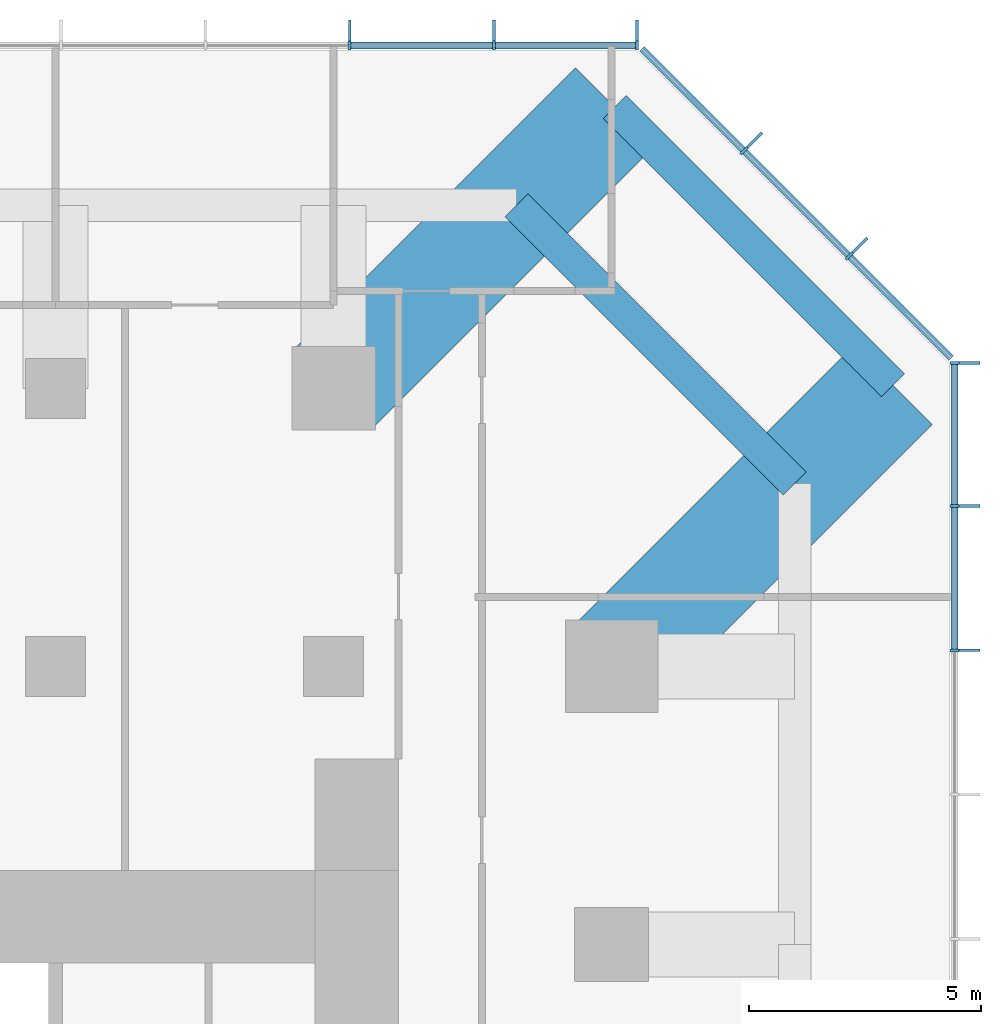
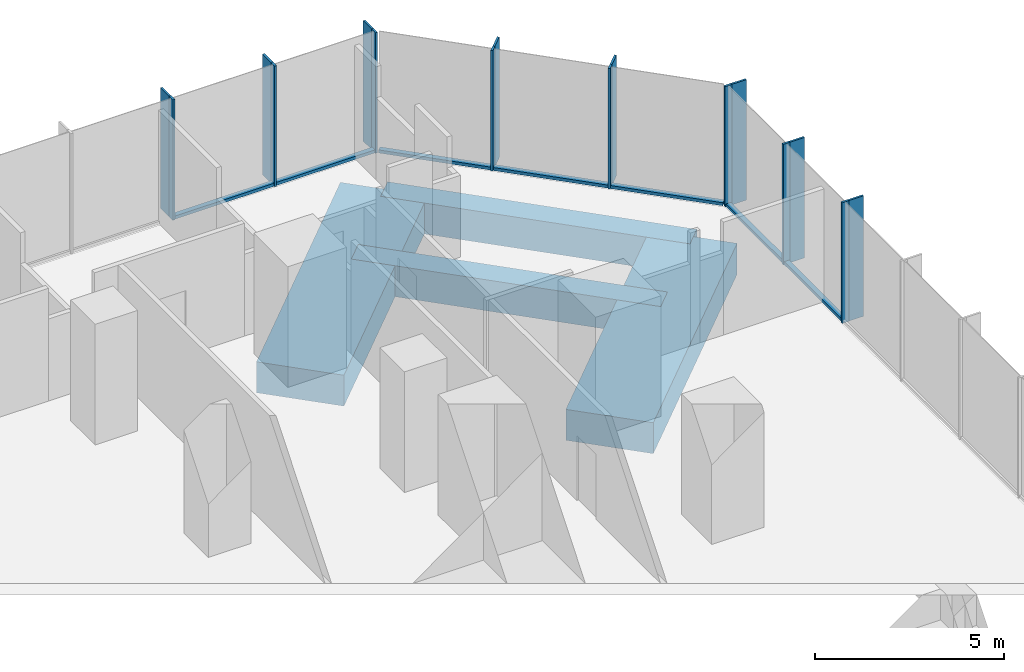
# One storey, part 6 of 11: 23 members, 4 beams, 3 elements without a shape of their own.
"""IFC4 building model written with IfcOpenShell, lengths in metres."""

from ifc_helpers import new_model, si_unit, direction, frame, origin, origin_2d, place, context, subcontext, project, spatial, rectangle, extrude, material, layer, layer_set, material_profile, profile_set, type_object, element, aggregate, save


model = new_model("IFC4")

# Units and contexts
model_context = context("Model", 3, precision=1e-05, world=origin(), true_north=direction((0.0, 1.0)))
body_context = subcontext(model_context, "Body", "Model", "MODEL_VIEW")
ifc_project = project(units=[si_unit("LENGTHUNIT", "METRE"), si_unit("AREAUNIT", "SQUARE_METRE"), si_unit("VOLUMEUNIT", "CUBIC_METRE"), si_unit("PLANEANGLEUNIT", "RADIAN"), si_unit("MASSUNIT", "GRAM", prefix="KILO")], contexts=[model_context])

# Site, building, storey
site_placement = place(None, origin())
site = spatial("IfcSite", under=ifc_project, at=site_placement, CompositionType="ELEMENT")
building_placement = place(site_placement, origin())
building = spatial("IfcBuilding", under=site, at=building_placement, Name="Highveld Stack Headquarters", CompositionType="ELEMENT")
storey_placement = place(building_placement, frame((0.0, 0.0, 177.199951171875)))
storey = spatial("IfcBuildingStorey", under=building, at=storey_placement, Name="L43", CompositionType="ELEMENT", Elevation=177.199951171875)

# Beams
ifc_material_1 = material(Name="Concrete C60/75", Category="concrete")
ifc_material_profile_1 = material_profile(ifc_material_1, rectangle(XDim=2.39990234375, YDim=1.0, at=origin_2d()), Name="RC 2400x1000")
ifc_profile_set_1 = profile_set([ifc_material_profile_1], Name="Concrete C60/75")
beam_type_1 = type_object("IfcBeamType", Name="CANTILEVER RIB RC 2400x1000", PredefinedType="USERDEFINED", material=ifc_profile_set_1)
for number, where, z_axis, x_axis, name in (
    (1, (18.0, 24.0, -0.75), (0.707106781187, 0.707106781187, 0.0), (-0.707106781187, 0.707106781187, 0.0), "Cantilever rib 9/J L43"),
    (2, (24.0, 18.0, -0.75), (0.707106781187, 0.707106781187, 0.0), (-0.707106781187, 0.707106781187, 0.0), "Cantilever rib 10/H L43"),
):
    element("IfcBeam", number, at=place(storey_placement, frame(where, z_axis=z_axis, x_axis=x_axis)), inside=storey, type_object=beam_type_1, Name=name, ObjectType="CANTILEVER RIB", PredefinedType="USERDEFINED", context=body_context, shape_type="SweptSolid", body=[
        extrude(rectangle(XDim=2.39990234375, YDim=1.0, at=origin_2d()), origin(), (0.0, 0.0, 1.0), 8.585693359375),
    ])

# Curtain wall, members
ifc_material_2 = material(Name="Aluminium bronze anodised", Category="aluminium")
ifc_layer_1 = layer(ifc_material_2, 0.199951171875)
ifc_layer_set_1 = layer_set([ifc_layer_1], Name="Aluminium bronze anodised")
curtain_wall_type_1 = type_object("IfcCurtainWallType", Name="CW1 TOWER UNITISED CURTAIN WALL", PredefinedType="NOTDEFINED", material=ifc_layer_set_1)
curtain_wall_1_placement = place(storey_placement, origin())
curtain_wall_1 = element("IfcCurtainWall", 3, at=curtain_wall_1_placement, inside=storey, type_object=curtain_wall_type_1, Name="Curtain wall CW1 L43 E", PredefinedType="NOTDEFINED")
ifc_material_3 = material(Name="Aluminium bronze anodised", Category="aluminium")
ifc_material_profile_2 = material_profile(ifc_material_3, rectangle(XDim=0.449951171875, YDim=0.06005859375, at=origin_2d()), Name="FIN 450x60")
ifc_profile_set_2 = profile_set([ifc_material_profile_2], Name="Aluminium bronze anodised")
member_type_1 = type_object("IfcMemberType", Name="CW1 BRONZE FIN 450x60", PredefinedType="USERDEFINED", material=ifc_profile_set_2)
member_1_placement = place(storey_placement, frame((31.72509765625, 18.347900390625, 0.0), z_axis=(0.0, 0.0, 1.0), x_axis=(-1.0, 0.0, 0.0)))
member_1 = element("IfcMember", 4, at=member_1_placement, type_object=member_type_1, Name="CW1 fin L43 9", ObjectType="FIN", PredefinedType="USERDEFINED", context=body_context, shape_type="SweptSolid", body=[
    extrude(rectangle(XDim=0.449951171875, YDim=0.06005859375, at=origin_2d()), origin(), (0.0, 0.0, 1.0), 3.900146484375),
])
member_2_placement = place(storey_placement, frame((31.72509765625, 21.4638671875, 0.0), z_axis=(0.0, 0.0, 1.0), x_axis=(-1.0, 0.0, 0.0)))
member_2 = element("IfcMember", 5, at=member_2_placement, type_object=member_type_1, Name="CW1 fin L43 10", ObjectType="FIN", PredefinedType="USERDEFINED", context=body_context, shape_type="SweptSolid", body=[
    extrude(rectangle(XDim=0.449951171875, YDim=0.06005859375, at=origin_2d()), origin(), (0.0, 0.0, 1.0), 3.900146484375),
])
member_3_placement = place(storey_placement, frame((31.72509765625, 24.54736328125, 0.0), z_axis=(0.0, 0.0, 1.0), x_axis=(-1.0, 0.0, 0.0)))
member_3 = element("IfcMember", 6, at=member_3_placement, type_object=member_type_1, Name="CW1 fin L43 11", ObjectType="FIN", PredefinedType="USERDEFINED", context=body_context, shape_type="SweptSolid", body=[
    extrude(rectangle(XDim=0.449951171875, YDim=0.06005859375, at=origin_2d()), origin(), (0.0, 0.0, 1.0), 3.900146484375),
])

curtain_wall_2_placement = place(storey_placement, origin())
curtain_wall_2 = element("IfcCurtainWall", 7, at=curtain_wall_2_placement, inside=storey, type_object=curtain_wall_type_1, Name="Curtain wall CW1 L43 N", PredefinedType="NOTDEFINED")
member_4_placement = place(storey_placement, frame((24.54736328125, 31.72509765625, 0.0), z_axis=(0.0, 0.0, 1.0), x_axis=(0.0, -1.0, 0.0)))
member_4 = element("IfcMember", 8, at=member_4_placement, type_object=member_type_1, Name="CW1 fin L43 1", ObjectType="FIN", PredefinedType="USERDEFINED", context=body_context, shape_type="SweptSolid", body=[
    extrude(rectangle(XDim=0.449951171875, YDim=0.06005859375, at=origin_2d()), origin(), (0.0, 0.0, 1.0), 3.900146484375),
])
member_5_placement = place(storey_placement, frame((21.4638671875, 31.72509765625, 0.0), z_axis=(0.0, 0.0, 1.0), x_axis=(0.0, -1.0, 0.0)))
member_5 = element("IfcMember", 9, at=member_5_placement, type_object=member_type_1, Name="CW1 fin L43 2", ObjectType="FIN", PredefinedType="USERDEFINED", context=body_context, shape_type="SweptSolid", body=[
    extrude(rectangle(XDim=0.449951171875, YDim=0.06005859375, at=origin_2d()), origin(), (0.0, 0.0, 1.0), 3.900146484375),
])
member_6_placement = place(storey_placement, frame((18.347900390625, 31.72509765625, 0.0), z_axis=(0.0, 0.0, 1.0), x_axis=(0.0, -1.0, 0.0)))
member_6 = element("IfcMember", 10, at=member_6_placement, type_object=member_type_1, Name="CW1 fin L43 3", ObjectType="FIN", PredefinedType="USERDEFINED", context=body_context, shape_type="SweptSolid", body=[
    extrude(rectangle(XDim=0.449951171875, YDim=0.06005859375, at=origin_2d()), origin(), (0.0, 0.0, 1.0), 3.900146484375),
])

# Member
ifc_material_4 = material(Name="Aluminium bronze anodised", Category="aluminium")
ifc_material_profile_3 = material_profile(ifc_material_4, rectangle(XDim=0.199951171875, YDim=0.06494140625, at=origin_2d()), Name="CW1 MULLION 65x200")
ifc_profile_set_3 = profile_set([ifc_material_profile_3], Name="Aluminium bronze anodised")
member_type_2 = type_object("IfcMemberType", Name="CW1 MULLION 65x200", PredefinedType="MULLION", material=ifc_profile_set_3)
member_7_placement = place(storey_placement, frame((31.39990234375, 18.347900390625, 0.0), z_axis=(0.0, 0.0, 1.0), x_axis=(-1.0, 0.0, 0.0)))
member_7 = element("IfcMember", 11, at=member_7_placement, type_object=member_type_2, Name="CW1 mullion L43 9", PredefinedType="MULLION", context=body_context, shape_type="SweptSolid", body=[
    extrude(rectangle(XDim=0.199951171875, YDim=0.06494140625, at=origin_2d()), origin(), (0.0, 0.0, 1.0), 3.900146484375),
])

member_8_placement = place(storey_placement, frame((31.39990234375, 21.4638671875, 0.0), z_axis=(0.0, 0.0, 1.0), x_axis=(-1.0, 0.0, 0.0)))
member_8 = element("IfcMember", 12, at=member_8_placement, type_object=member_type_2, Name="CW1 mullion L43 10", PredefinedType="MULLION", context=body_context, shape_type="SweptSolid", body=[
    extrude(rectangle(XDim=0.199951171875, YDim=0.06494140625, at=origin_2d()), origin(), (0.0, 0.0, 1.0), 3.900146484375),
])

member_9_placement = place(storey_placement, frame((31.39990234375, 24.54736328125, 0.0), z_axis=(0.0, 0.0, 1.0), x_axis=(-1.0, 0.0, 0.0)))
member_9 = element("IfcMember", 13, at=member_9_placement, type_object=member_type_2, Name="CW1 mullion L43 11", PredefinedType="MULLION", context=body_context, shape_type="SweptSolid", body=[
    extrude(rectangle(XDim=0.199951171875, YDim=0.06494140625, at=origin_2d()), origin(), (0.0, 0.0, 1.0), 3.900146484375),
])

member_10_placement = place(storey_placement, frame((24.54736328125, 31.39990234375, 0.0), z_axis=(0.0, 0.0, 1.0), x_axis=(0.0, -1.0, 0.0)))
member_10 = element("IfcMember", 14, at=member_10_placement, type_object=member_type_2, Name="CW1 mullion L43 1", PredefinedType="MULLION", context=body_context, shape_type="SweptSolid", body=[
    extrude(rectangle(XDim=0.199951171875, YDim=0.06494140625, at=origin_2d()), origin(), (0.0, 0.0, 1.0), 3.900146484375),
])

member_11_placement = place(storey_placement, frame((21.4638671875, 31.39990234375, 0.0), z_axis=(0.0, 0.0, 1.0), x_axis=(0.0, -1.0, 0.0)))
member_11 = element("IfcMember", 15, at=member_11_placement, type_object=member_type_2, Name="CW1 mullion L43 2", PredefinedType="MULLION", context=body_context, shape_type="SweptSolid", body=[
    extrude(rectangle(XDim=0.199951171875, YDim=0.06494140625, at=origin_2d()), origin(), (0.0, 0.0, 1.0), 3.900146484375),
])

member_12_placement = place(storey_placement, frame((18.347900390625, 31.39990234375, 0.0), z_axis=(0.0, 0.0, 1.0), x_axis=(0.0, -1.0, 0.0)))
member_12 = element("IfcMember", 16, at=member_12_placement, type_object=member_type_2, Name="CW1 mullion L43 3", PredefinedType="MULLION", context=body_context, shape_type="SweptSolid", body=[
    extrude(rectangle(XDim=0.199951171875, YDim=0.06494140625, at=origin_2d()), origin(), (0.0, 0.0, 1.0), 3.900146484375),
])

ifc_material_5 = material(Name="Aluminium bronze anodised", Category="aluminium")
ifc_material_profile_4 = material_profile(ifc_material_5, rectangle(XDim=0.14990234375, YDim=0.10009765625, at=origin_2d()), Name="CW1 TRANSOM 150x100")
ifc_profile_set_4 = profile_set([ifc_material_profile_4], Name="Aluminium bronze anodised")
member_type_3 = type_object("IfcMemberType", Name="CW1 STACK TRANSOM 150x100", PredefinedType="USERDEFINED", material=ifc_profile_set_4)
member_13_placement = place(storey_placement, frame((31.39990234375, 18.38037109375, 0.050048828125), z_axis=(0.0, 1.0, 0.0), x_axis=(-1.0, 0.0, 0.0)))
member_13 = element("IfcMember", 17, at=member_13_placement, type_object=member_type_3, Name="CW1 transom L43 9.1", ObjectType="TRANSOM", PredefinedType="USERDEFINED", context=body_context, shape_type="SweptSolid", body=[
    extrude(rectangle(XDim=0.14990234375, YDim=0.10009765625, at=origin_2d()), origin(), (0.0, 0.0, 1.0), 3.051025390625),
])

member_14_placement = place(storey_placement, frame((31.39990234375, 21.496337890625, 0.050048828125), z_axis=(0.0, 1.0, 0.0), x_axis=(-1.0, 0.0, 0.0)))
member_14 = element("IfcMember", 18, at=member_14_placement, type_object=member_type_3, Name="CW1 transom L43 10.1", ObjectType="TRANSOM", PredefinedType="USERDEFINED", context=body_context, shape_type="SweptSolid", body=[
    extrude(rectangle(XDim=0.14990234375, YDim=0.10009765625, at=origin_2d()), origin(), (0.0, 0.0, 1.0), 3.0185546875),
])

aggregate(curtain_wall_1, [member_7, member_1, member_8, member_2, member_9, member_3, member_13, member_14])

member_15_placement = place(storey_placement, frame((24.514892578125, 31.39990234375, 0.050048828125), z_axis=(-1.0, 0.0, 0.0), x_axis=(0.0, -1.0, 0.0)))
member_15 = element("IfcMember", 19, at=member_15_placement, type_object=member_type_3, Name="CW1 transom L43 1.1", ObjectType="TRANSOM", PredefinedType="USERDEFINED", context=body_context, shape_type="SweptSolid", body=[
    extrude(rectangle(XDim=0.14990234375, YDim=0.10009765625, at=origin_2d()), origin(), (0.0, 0.0, 1.0), 3.0185546875),
])

member_16_placement = place(storey_placement, frame((21.431396484375, 31.39990234375, 0.050048828125), z_axis=(-1.0, 0.0, 0.0), x_axis=(0.0, -1.0, 0.0)))
member_16 = element("IfcMember", 20, at=member_16_placement, type_object=member_type_3, Name="CW1 transom L43 2.1", ObjectType="TRANSOM", PredefinedType="USERDEFINED", context=body_context, shape_type="SweptSolid", body=[
    extrude(rectangle(XDim=0.14990234375, YDim=0.10009765625, at=origin_2d()), origin(), (0.0, 0.0, 1.0), 3.051025390625),
])

aggregate(curtain_wall_2, [member_10, member_4, member_11, member_5, member_12, member_6, member_15, member_16])

# Curtain wall, members
ifc_material_6 = material(Name="Aluminium bronze anodised", Category="aluminium")
ifc_layer_2 = layer(ifc_material_6, 0.199951171875)
ifc_layer_set_2 = layer_set([ifc_layer_2], Name="Aluminium bronze anodised")
curtain_wall_type_2 = type_object("IfcCurtainWallType", Name="CW2 TOWER CHAMFER UNITISED CURTAIN WALL", PredefinedType="NOTDEFINED", material=ifc_layer_set_2)
curtain_wall_3_placement = place(storey_placement, origin())
curtain_wall_3 = element("IfcCurtainWall", 21, at=curtain_wall_3_placement, inside=storey, type_object=curtain_wall_type_2, Name="Curtain wall CW2 L43 NE", PredefinedType="NOTDEFINED")
ifc_material_7 = material(Name="Aluminium bronze anodised", Category="aluminium")
ifc_material_profile_5 = material_profile(ifc_material_7, rectangle(XDim=0.449951171875, YDim=0.06005859375, at=origin_2d()), Name="FIN 450x60")
ifc_profile_set_5 = profile_set([ifc_material_profile_5], Name="Aluminium bronze anodised")
member_type_4 = type_object("IfcMemberType", Name="CW2 BRONZE FIN 450x60", PredefinedType="USERDEFINED", material=ifc_profile_set_5)
member_17_placement = place(storey_placement, frame((29.3564453125, 27.0830078125, 0.0), z_axis=(0.0, 0.0, 1.0), x_axis=(-0.707106781187, -0.707106781187, 0.0)))
member_17 = element("IfcMember", 22, at=member_17_placement, type_object=member_type_4, Name="CW2 fin L43 1", ObjectType="FIN", PredefinedType="USERDEFINED", context=body_context, shape_type="SweptSolid", body=[
    extrude(rectangle(XDim=0.449951171875, YDim=0.06005859375, at=origin_2d()), origin(), (0.0, 0.0, 1.0), 3.900146484375),
])
member_18_placement = place(storey_placement, frame((27.0830078125, 29.3564453125, 0.0), z_axis=(0.0, 0.0, 1.0), x_axis=(-0.707106781187, -0.707106781187, 0.0)))
member_18 = element("IfcMember", 23, at=member_18_placement, type_object=member_type_4, Name="CW2 fin L43 2", ObjectType="FIN", PredefinedType="USERDEFINED", context=body_context, shape_type="SweptSolid", body=[
    extrude(rectangle(XDim=0.449951171875, YDim=0.06005859375, at=origin_2d()), origin(), (0.0, 0.0, 1.0), 3.900146484375),
])
ifc_material_8 = material(Name="Aluminium bronze anodised", Category="aluminium")
ifc_material_profile_6 = material_profile(ifc_material_8, rectangle(XDim=0.199951171875, YDim=0.06494140625, at=origin_2d()), Name="CW2 MULLION 65x200")
ifc_profile_set_6 = profile_set([ifc_material_profile_6], Name="Aluminium bronze anodised")
member_type_5 = type_object("IfcMemberType", Name="CW2 MULLION 65x200", PredefinedType="MULLION", material=ifc_profile_set_6)
member_19_placement = place(storey_placement, frame((29.126708984375, 26.853271484375, 0.0), z_axis=(0.0, 0.0, 1.0), x_axis=(-0.707106781187, -0.707106781187, 0.0)))
member_19 = element("IfcMember", 24, at=member_19_placement, type_object=member_type_5, Name="CW2 mullion L43 1", PredefinedType="MULLION", context=body_context, shape_type="SweptSolid", body=[
    extrude(rectangle(XDim=0.199951171875, YDim=0.06494140625, at=origin_2d()), origin(), (0.0, 0.0, 1.0), 3.900146484375),
])
member_20_placement = place(storey_placement, frame((26.853271484375, 29.126708984375, 0.0), z_axis=(0.0, 0.0, 1.0), x_axis=(-0.707106781187, -0.707106781187, 0.0)))
member_20 = element("IfcMember", 25, at=member_20_placement, type_object=member_type_5, Name="CW2 mullion L43 2", PredefinedType="MULLION", context=body_context, shape_type="SweptSolid", body=[
    extrude(rectangle(XDim=0.199951171875, YDim=0.06494140625, at=origin_2d()), origin(), (0.0, 0.0, 1.0), 3.900146484375),
])
ifc_material_9 = material(Name="Aluminium bronze anodised", Category="aluminium")
ifc_material_profile_7 = material_profile(ifc_material_9, rectangle(XDim=0.14990234375, YDim=0.10009765625, at=origin_2d()), Name="CW2 TRANSOM 150x100")
ifc_profile_set_7 = profile_set([ifc_material_profile_7], Name="Aluminium bronze anodised")
member_type_6 = type_object("IfcMemberType", Name="CW2 STACK TRANSOM 150x100", PredefinedType="USERDEFINED", material=ifc_profile_set_7)
member_21_placement = place(storey_placement, frame((31.329345703125, 24.650634765625, 0.050048828125), z_axis=(-0.707106781187, 0.707106781187, 0.0), x_axis=(-0.707106781187, -0.707106781187, 0.0)))
member_21 = element("IfcMember", 26, at=member_21_placement, type_object=member_type_6, Name="CW2 transom L43 1.1", ObjectType="TRANSOM", PredefinedType="USERDEFINED", context=body_context, shape_type="SweptSolid", body=[
    extrude(rectangle(XDim=0.14990234375, YDim=0.10009765625, at=origin_2d()), origin(), (0.0, 0.0, 1.0), 3.08251953125),
])
member_22_placement = place(storey_placement, frame((29.103759765625, 26.876220703125, 0.050048828125), z_axis=(-0.707106781187, 0.707106781187, 0.0), x_axis=(-0.707106781187, -0.707106781187, 0.0)))
member_22 = element("IfcMember", 27, at=member_22_placement, type_object=member_type_6, Name="CW2 transom L43 2.1", ObjectType="TRANSOM", PredefinedType="USERDEFINED", context=body_context, shape_type="SweptSolid", body=[
    extrude(rectangle(XDim=0.14990234375, YDim=0.10009765625, at=origin_2d()), origin(), (0.0, 0.0, 1.0), 3.150146484375),
])
member_23_placement = place(storey_placement, frame((26.830322265625, 29.149658203125, 0.050048828125), z_axis=(-0.707106781187, 0.707106781187, 0.0), x_axis=(-0.707106781187, -0.707106781187, 0.0)))
member_23 = element("IfcMember", 28, at=member_23_placement, type_object=member_type_6, Name="CW2 transom L43 3.1", ObjectType="TRANSOM", PredefinedType="USERDEFINED", context=body_context, shape_type="SweptSolid", body=[
    extrude(rectangle(XDim=0.14990234375, YDim=0.10009765625, at=origin_2d()), origin(), (0.0, 0.0, 1.0), 3.08251953125),
])
aggregate(curtain_wall_3, [member_19, member_17, member_20, member_18, member_21, member_22, member_23])

# Beams
ifc_material_10 = material(Name="Concrete C60/75", Category="concrete")
ifc_material_profile_8 = material_profile(ifc_material_10, rectangle(XDim=0.699951171875, YDim=1.0, at=origin_2d()), Name="RC 700x1000")
ifc_profile_set_8 = profile_set([ifc_material_profile_8], Name="Concrete C60/75")
beam_type_2 = type_object("IfcBeamType", Name="RIB TIP BEAM RC 700x1000", PredefinedType="SPANDREL", material=ifc_profile_set_8)
for number, where, z_axis, x_axis, name in (
    (29, (21.949951171875, 27.949951171875, -0.75), (0.707106781187, -0.707106781187, 0.0), (0.707106781187, 0.707106781187, 0.0), "Rib tip beam 9/J to 10/H chamfer L43"),
    (30, (24.071044921875, 30.071044921875, -0.75), (0.707106781187, -0.707106781187, 0.0), (0.707106781187, 0.707106781187, 0.0), "Rib tip beam 9/J to 10/H chamfer edge L43"),
):
    element("IfcBeam", number, at=place(storey_placement, frame(where, z_axis=z_axis, x_axis=x_axis)), inside=storey, type_object=beam_type_2, Name=name, PredefinedType="SPANDREL", context=body_context, shape_type="SweptSolid", body=[
        extrude(rectangle(XDim=0.699951171875, YDim=1.0, at=origin_2d()), origin(), (0.0, 0.0, 1.0), 8.4853515625),
    ])

save(model, "model.ifc")
